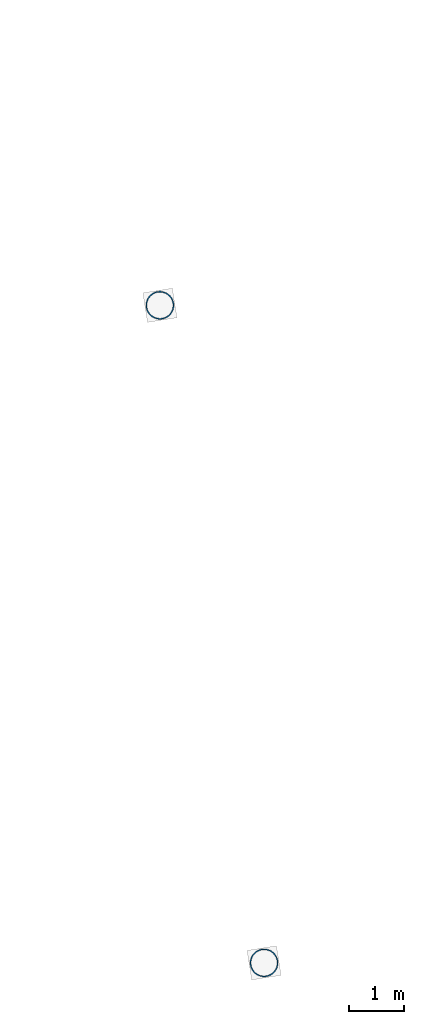
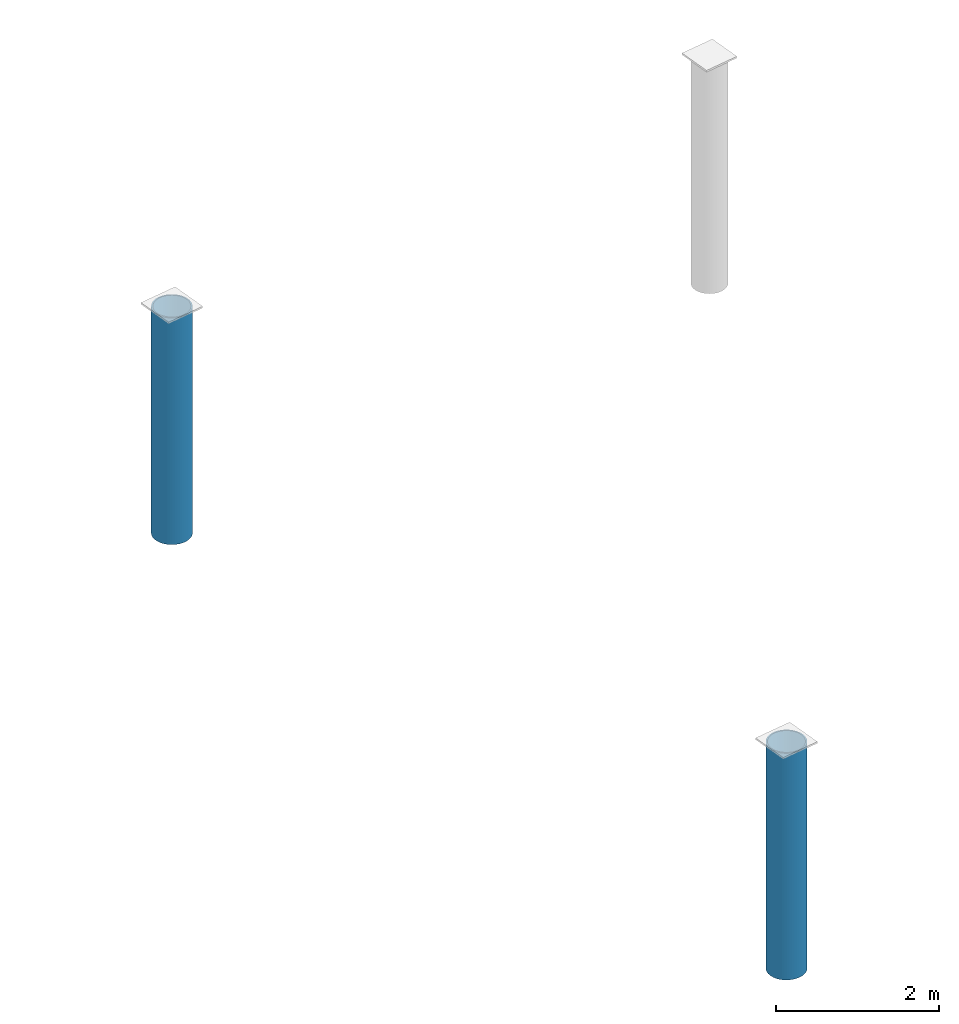
# One storey, part 1 of 176: 2 columns.
"""IFC4 building model written with IfcOpenShell, lengths in metres."""

from ifc_helpers import new_model, si_unit, direction, frame, origin, origin_2d, place, context, subcontext, project, spatial, hollow_circle, extrude, material, material_profile, profile_set, type_object, element, save


model = new_model("IFC4")

# Units and contexts
model_context = context("Model", 3, precision=1e-05, world=origin(), true_north=direction((0.0, 1.0)))
body_context = subcontext(model_context, "Body", "Model", "MODEL_VIEW")
ifc_project = project(units=[si_unit("LENGTHUNIT", "METRE"), si_unit("AREAUNIT", "SQUARE_METRE"), si_unit("VOLUMEUNIT", "CUBIC_METRE"), si_unit("PLANEANGLEUNIT", "RADIAN"), si_unit("MASSUNIT", "GRAM", prefix="KILO")], contexts=[model_context])

# Site, building, storey
site_placement = place(None, origin())
site = spatial("IfcSite", under=ifc_project, at=site_placement, CompositionType="ELEMENT")
building_placement = place(site_placement, origin())
building = spatial("IfcBuilding", under=site, at=building_placement, Name="Khorjan Park Terminus", CompositionType="ELEMENT")
storey_placement = place(building_placement, frame((0.0, 0.0, 6.0)))
storey = spatial("IfcBuildingStorey", under=building, at=storey_placement, Name="L01", CompositionType="ELEMENT", Elevation=6.0)

# Columns
ifc_material = material(Name="Steel S355", Category="steel")
ifc_material_profile = material_profile(ifc_material, hollow_circle(Radius=0.254, WallThickness=0.02, at=origin_2d()), Name="CHS 508x20")
ifc_profile_set = profile_set([ifc_material_profile], Name="Steel S355")
column_type = type_object("IfcColumnType", Name="COL-SH508E", PredefinedType="COLUMN", material=ifc_profile_set)
for number, where, z_axis, x_axis, name in (
    (1, (54.0, -10.0, 0.0), (0.0, 0.0, 1.0), (0.987688340595, 0.15643446504, 0.0), "Structural column SC-51 (L01 #544)"),
    (2, (52.123, 1.852, 0.0), (0.0, 0.0, 1.0), (0.987688340595, 0.15643446504, 0.0), "Structural column SC-51 (L01 #547)"),
):
    element("IfcColumn", number, at=place(storey_placement, frame(where, z_axis=z_axis, x_axis=x_axis)), inside=storey, type_object=column_type, Name=name, PredefinedType="COLUMN", context=body_context, shape_type="SweptSolid", body=[
        extrude(hollow_circle(Radius=0.254, WallThickness=0.02, at=origin_2d()), origin(), (0.0, 0.0, 1.0), 3.4),
    ])

save(model, "model.ifc")
